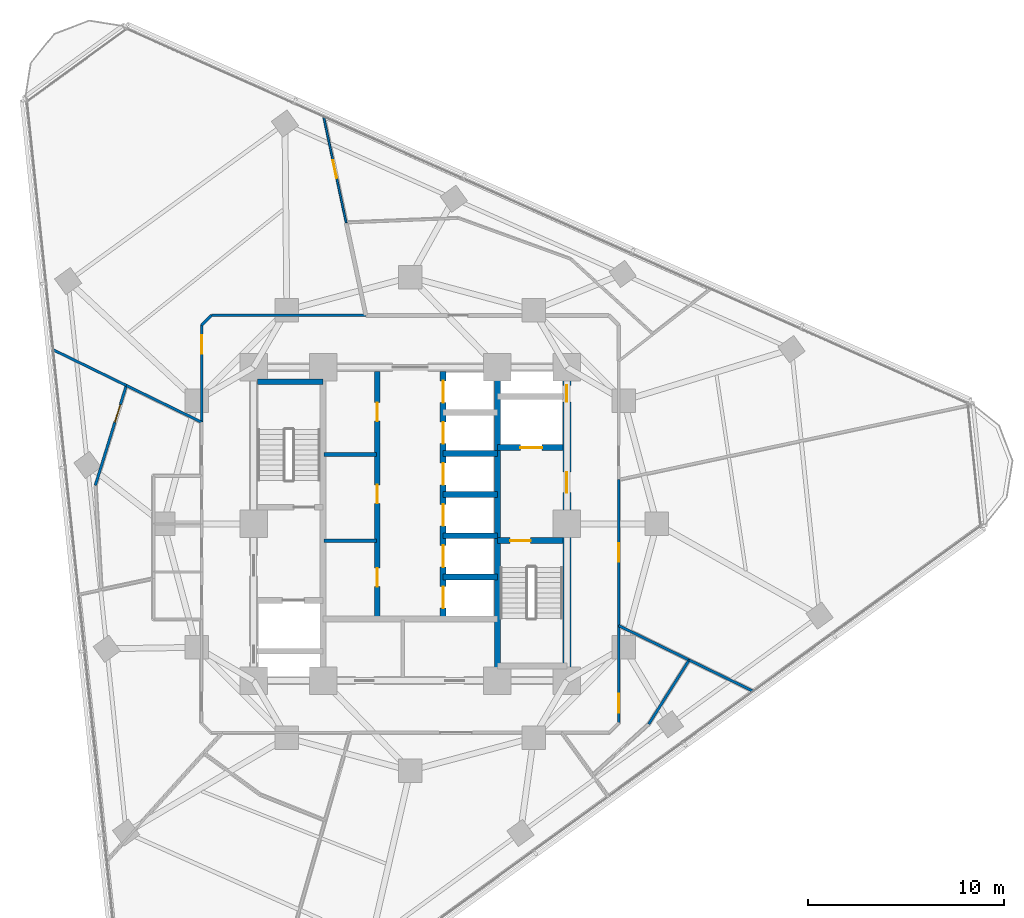
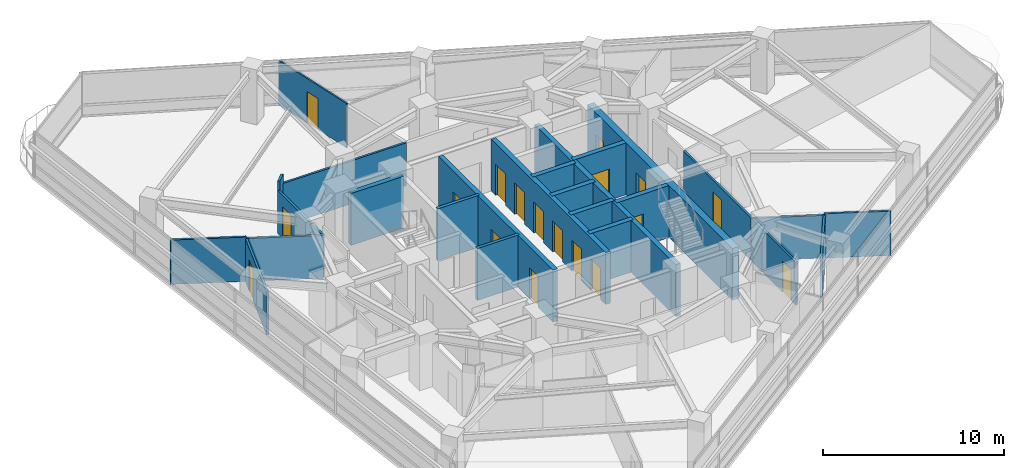
# One storey, part 9 of 14: 25 walls, 18 doors, 18 openings.
"""IFC4 building model written with IfcOpenShell, lengths in metres."""

from ifc_helpers import new_model, si_unit, direction, frame, frame_2d, origin, place, context, subcontext, project, spatial, rectangle, extrude, material, layer, layer_set, type_object, element, fill, save


model = new_model("IFC4")

# Units and contexts
model_context = context("Model", 3, precision=1e-05, world=origin(), true_north=direction((0.0, 1.0)))
body_context = subcontext(model_context, "Body", "Model", "MODEL_VIEW")
ifc_project = project(units=[si_unit("LENGTHUNIT", "METRE"), si_unit("AREAUNIT", "SQUARE_METRE"), si_unit("VOLUMEUNIT", "CUBIC_METRE"), si_unit("PLANEANGLEUNIT", "RADIAN"), si_unit("MASSUNIT", "GRAM", prefix="KILO")], contexts=[model_context])

# Site, building, storey
site_placement = place(None, origin())
site = spatial("IfcSite", under=ifc_project, at=site_placement, CompositionType="ELEMENT")
building_placement = place(site_placement, origin())
building = spatial("IfcBuilding", under=site, at=building_placement, Name="Terralouvre Media Tower", CompositionType="ELEMENT")
storey_placement = place(building_placement, frame((0.0, 0.0, 165.699951171875)))
storey = spatial("IfcBuildingStorey", under=building, at=storey_placement, Name="L42", CompositionType="ELEMENT", Elevation=165.699951171875)

# Walls
ifc_material_1 = material(Name="Concrete C50/60", Category="concrete")
ifc_layer_1 = layer(ifc_material_1, 0.300048828125, Name="Core Internal Shaft Wall CW-300")
ifc_layer_set_1 = layer_set([ifc_layer_1], Name="Concrete C50/60")
wall_type_1 = type_object("IfcWallType", Name="Core Internal Shaft Wall CW-300", PredefinedType="SHEAR", material=ifc_layer_set_1)
wall_1_placement = place(storey_placement, frame((4.449951171875, -7.7900390625, 0.0), z_axis=(0.0, 0.0, 1.0), x_axis=(0.0, 1.0, 0.0)))
element("IfcWall", 1, at=wall_1_placement, inside=storey, type_object=wall_type_1, Name="L42 Core Shaft Wall SPE", PredefinedType="SHEAR", context=body_context, shape_type="SweptSolid", body=[
    extrude(rectangle(XDim=15.580078125, YDim=0.300048828125, at=frame_2d((7.7900390625, 0.0))), origin(), (0.0, 0.0, 1.0), 3.5),
])
wall_2_placement = place(storey_placement, frame((-7.7900390625, 7.260009765625, 0.0), z_axis=(0.0, 0.0, 1.0), x_axis=(1.0, 0.0, 0.0)))
element("IfcWall", 2, at=wall_2_placement, inside=storey, type_object=wall_type_1, Name="L42 Core Shaft Wall ST1F", PredefinedType="SHEAR", context=body_context, shape_type="SweptSolid", body=[
    extrude(rectangle(XDim=3.340087890625, YDim=0.300048828125, at=frame_2d((1.669921875, 0.0))), origin(), (0.0, 0.0, 1.0), 3.5),
])

# Wall, opening, door
wall_3_placement = place(storey_placement, frame((4.449951171875, -0.85009765625, 0.0), z_axis=(0.0, 0.0, 1.0), x_axis=(1.0, 0.0, 0.0)))
wall_3 = element("IfcWall", 3, at=wall_3_placement, inside=storey, type_object=wall_type_1, Name="L42 Core Shaft Wall ST2D", PredefinedType="SHEAR", context=body_context, shape_type="SweptSolid", body=[
    extrude(rectangle(XDim=3.340087890625, YDim=0.300048828125, at=frame_2d((1.669921875, 0.0))), origin(), (0.0, 0.0, 1.0), 3.5),
])
opening_1_placement = place(wall_3_placement, frame((0.64990234375, 0.0, 0.0)))
opening_1 = element("IfcOpeningElement", 4, at=opening_1_placement, cuts=wall_3, Name="Opening FD-01-105X215", PredefinedType="OPENING", context=body_context, shape_type="SweptSolid", body=[
    extrude(rectangle(XDim=1.050048828125, YDim=2.14990234375, at=frame_2d((0.52490234375, 1.074951171875))), frame((0.0, 0.159912109375, 0.0), z_axis=(0.0, -1.0, 0.0), x_axis=(1.0, 0.0, 0.0)), (0.0, 0.0, 1.0), 0.320068359375),
])
ifc_material_2 = material(Name="Galvanised steel fire-resisting leaf", Category="steel")
door_type_1 = type_object("IfcDoorType", Name="Stair and Firefighting Lobby Fire Door FD-01 (1050x2150)", OperationType="NOTDEFINED", PredefinedType="DOOR", material=ifc_material_2)
door_1_placement = place(opening_1_placement, origin())
door_1 = element("IfcDoor", 5, at=door_1_placement, inside=storey, type_object=door_type_1, Name="L42 ST-02 Exit Stair Door", OperationType="SINGLE_SWING_RIGHT", OverallHeight=2.14990234375, OverallWidth=1.050048828125, PredefinedType="DOOR", context=body_context, shape_type="SweptSolid", body=[
    extrude(rectangle(XDim=1.050048828125, YDim=2.14990234375, at=frame_2d((0.52490234375, 1.074951171875))), frame((0.0, 0.02490234375, 0.0), z_axis=(0.0, -1.0, 0.0), x_axis=(1.0, 0.0, 0.0)), (0.0, 0.0, 1.0), 0.050048828125),
])
fill(opening_1, door_1)

wall_4_placement = place(storey_placement, frame((4.449951171875, 3.89990234375, 0.0), z_axis=(0.0, 0.0, 1.0), x_axis=(1.0, 0.0, 0.0)))
wall_4 = element("IfcWall", 6, at=wall_4_placement, inside=storey, type_object=wall_type_1, Name="L42 Core Shaft Wall FF2S", PredefinedType="SHEAR", context=body_context, shape_type="SweptSolid", body=[
    extrude(rectangle(XDim=3.340087890625, YDim=0.300048828125, at=frame_2d((1.669921875, 0.0))), origin(), (0.0, 0.0, 1.0), 3.5),
])
opening_2_placement = place(wall_4_placement, frame((1.179931640625, 0.0, 0.0)))
opening_2 = element("IfcOpeningElement", 7, at=opening_2_placement, cuts=wall_4, Name="Opening LD-FF", PredefinedType="OPENING", context=body_context, shape_type="SweptSolid", body=[
    extrude(rectangle(XDim=1.10009765625, YDim=2.10009765625, at=frame_2d((0.550048828125, 1.050048828125))), frame((0.0, 0.159912109375, 0.0), z_axis=(0.0, -1.0, 0.0), x_axis=(1.0, 0.0, 0.0)), (0.0, 0.0, 1.0), 0.320068359375),
])
ifc_material_3 = material(Name="Stainless steel 316 handrail and balustrade", Category="steel")
door_type_2 = type_object("IfcDoorType", Name="Firefighting Lift Sliding Landing Door LD-FF", OperationType="SLIDING_TO_LEFT", PredefinedType="DOOR", material=ifc_material_3)
door_2_placement = place(opening_2_placement, origin())
door_2 = element("IfcDoor", 8, at=door_2_placement, inside=storey, type_object=door_type_2, Name="L42 Firefighting Lift FFL-02 Landing Door", OperationType="SLIDING_TO_LEFT", OverallHeight=2.10009765625, OverallWidth=1.10009765625, PredefinedType="DOOR", context=body_context, shape_type="SweptSolid", body=[
    extrude(rectangle(XDim=1.10009765625, YDim=2.10009765625, at=frame_2d((0.550048828125, 1.050048828125))), frame((0.0, 0.02490234375, 0.0), z_axis=(0.0, -1.0, 0.0), x_axis=(1.0, 0.0, 0.0)), (0.0, 0.0, 1.0), 0.050048828125),
])
fill(opening_2, door_2)

# Wall, openings, doors
wall_5_placement = place(storey_placement, frame((-1.679931640625, -4.85009765625, 0.0), z_axis=(0.0, 0.0, 1.0), x_axis=(0.0, 1.0, 0.0)))
wall_5 = element("IfcWall", 9, at=wall_5_placement, inside=storey, type_object=wall_type_1, Name="L42 Core Shaft Wall LBW", PredefinedType="SHEAR", context=body_context, shape_type="SweptSolid", body=[
    extrude(rectangle(XDim=12.64013671875, YDim=0.300048828125, at=frame_2d((6.320068359375, 0.0))), origin(), (0.0, 0.0, 1.0), 3.5),
])
opening_3_placement = place(wall_5_placement, frame((1.64990234375, 0.0, 0.0)))
opening_3 = element("IfcOpeningElement", 10, at=opening_3_placement, cuts=wall_5, Name="Opening FD-02-95X210", PredefinedType="OPENING", context=body_context, shape_type="SweptSolid", body=[
    extrude(rectangle(XDim=0.949951171875, YDim=2.10009765625, at=frame_2d((0.47509765625, 1.050048828125))), frame((0.0, 0.159912109375, 0.0), z_axis=(0.0, -1.0, 0.0), x_axis=(1.0, 0.0, 0.0)), (0.0, 0.0, 1.0), 0.320068359375),
])
opening_4_placement = place(wall_5_placement, frame((5.89990234375, 0.0, 0.0)))
opening_4 = element("IfcOpeningElement", 11, at=opening_4_placement, cuts=wall_5, Name="Opening SD-02", PredefinedType="OPENING", context=body_context, shape_type="SweptSolid", body=[
    extrude(rectangle(XDim=0.949951171875, YDim=2.10009765625, at=frame_2d((0.47509765625, 1.050048828125))), frame((0.0, 0.159912109375, 0.0), z_axis=(0.0, -1.0, 0.0), x_axis=(1.0, 0.0, 0.0)), (0.0, 0.0, 1.0), 0.320068359375),
])
opening_5_placement = place(wall_5_placement, frame((10.10009765625, 0.0, 0.0)))
opening_5 = element("IfcOpeningElement", 12, at=opening_5_placement, cuts=wall_5, Name="Opening FD-02-95X210", PredefinedType="OPENING", context=body_context, shape_type="SweptSolid", body=[
    extrude(rectangle(XDim=0.949951171875, YDim=2.10009765625, at=frame_2d((0.47509765625, 1.050048828125))), frame((0.0, 0.159912109375, 0.0), z_axis=(0.0, -1.0, 0.0), x_axis=(1.0, 0.0, 0.0)), (0.0, 0.0, 1.0), 0.320068359375),
])
ifc_material_4 = material(Name="Galvanised steel fire-resisting leaf", Category="steel")
door_type_3 = type_object("IfcDoorType", Name="Core Service Sliding Fire Door SD-02", OperationType="SLIDING_TO_LEFT", PredefinedType="DOOR", material=ifc_material_4)
door_3_placement = place(opening_4_placement, origin())
door_3 = element("IfcDoor", 13, at=door_3_placement, inside=storey, type_object=door_type_3, Name="L42 Core Pantry Store Door", OperationType="SLIDING_TO_LEFT", OverallHeight=2.10009765625, OverallWidth=0.949951171875, PredefinedType="DOOR", context=body_context, shape_type="SweptSolid", body=[
    extrude(rectangle(XDim=0.949951171875, YDim=2.10009765625, at=frame_2d((0.47509765625, 1.050048828125))), frame((0.0, 0.02490234375, 0.0), z_axis=(0.0, -1.0, 0.0), x_axis=(1.0, 0.0, 0.0)), (0.0, 0.0, 1.0), 0.050048828125),
])
fill(opening_4, door_3)
ifc_material_5 = material(Name="Galvanised steel fire-resisting leaf", Category="steel")
door_type_4 = type_object("IfcDoorType", Name="Plant and Riser Fire Door FD-02 (950x2100)", OperationType="NOTDEFINED", PredefinedType="DOOR", material=ifc_material_5)
door_4_placement = place(opening_3_placement, origin())
door_4 = element("IfcDoor", 14, at=door_4_placement, inside=storey, type_object=door_type_4, Name="L42 Core UPS Switch Plant Door", OperationType="SINGLE_SWING_LEFT", OverallHeight=2.10009765625, OverallWidth=0.949951171875, PredefinedType="DOOR", context=body_context, shape_type="SweptSolid", body=[
    extrude(rectangle(XDim=0.949951171875, YDim=2.10009765625, at=frame_2d((0.47509765625, 1.050048828125))), frame((0.0, 0.02490234375, 0.0), z_axis=(0.0, -1.0, 0.0), x_axis=(1.0, 0.0, 0.0)), (0.0, 0.0, 1.0), 0.050048828125),
])
fill(opening_3, door_4)
door_5_placement = place(opening_5_placement, origin())
door_5 = element("IfcDoor", 15, at=door_5_placement, inside=storey, type_object=door_type_4, Name="L42 Core Edge Server Plant Door", OperationType="SINGLE_SWING_RIGHT", OverallHeight=2.10009765625, OverallWidth=0.949951171875, PredefinedType="DOOR", context=body_context, shape_type="SweptSolid", body=[
    extrude(rectangle(XDim=0.949951171875, YDim=2.10009765625, at=frame_2d((0.47509765625, 1.050048828125))), frame((0.0, 0.02490234375, 0.0), z_axis=(0.0, -1.0, 0.0), x_axis=(1.0, 0.0, 0.0)), (0.0, 0.0, 1.0), 0.050048828125),
])
fill(opening_5, door_5)

wall_6_placement = place(storey_placement, frame((1.679931640625, -4.85009765625, 0.0), z_axis=(0.0, 0.0, 1.0), x_axis=(0.0, 1.0, 0.0)))
wall_6 = element("IfcWall", 16, at=wall_6_placement, inside=storey, type_object=wall_type_1, Name="L42 Core Shaft Wall LBE", PredefinedType="SHEAR", context=body_context, shape_type="SweptSolid", body=[
    extrude(rectangle(XDim=12.64013671875, YDim=0.300048828125, at=frame_2d((6.320068359375, 0.0))), origin(), (0.0, 0.0, 1.0), 3.5),
])
opening_6_placement = place(wall_6_placement, frame((0.550048828125, 0.0, 0.0)))
opening_6 = element("IfcOpeningElement", 17, at=opening_6_placement, cuts=wall_6, Name="Opening LD-PL", PredefinedType="OPENING", context=body_context, shape_type="SweptSolid", body=[
    extrude(rectangle(XDim=1.10009765625, YDim=2.10009765625, at=frame_2d((0.550048828125, 1.050048828125))), frame((0.0, 0.159912109375, 0.0), z_axis=(0.0, -1.0, 0.0), x_axis=(1.0, 0.0, 0.0)), (0.0, 0.0, 1.0), 0.320068359375),
])
opening_7_placement = place(wall_6_placement, frame((2.64990234375, 0.0, 0.0)))
opening_7 = element("IfcOpeningElement", 18, at=opening_7_placement, cuts=wall_6, Name="Opening LD-PL", PredefinedType="OPENING", context=body_context, shape_type="SweptSolid", body=[
    extrude(rectangle(XDim=1.10009765625, YDim=2.10009765625, at=frame_2d((0.550048828125, 1.050048828125))), frame((0.0, 0.159912109375, 0.0), z_axis=(0.0, -1.0, 0.0), x_axis=(1.0, 0.0, 0.0)), (0.0, 0.0, 1.0), 0.320068359375),
])
opening_8_placement = place(wall_6_placement, frame((4.75, 0.0, 0.0)))
opening_8 = element("IfcOpeningElement", 19, at=opening_8_placement, cuts=wall_6, Name="Opening LD-PL", PredefinedType="OPENING", context=body_context, shape_type="SweptSolid", body=[
    extrude(rectangle(XDim=1.10009765625, YDim=2.10009765625, at=frame_2d((0.550048828125, 1.050048828125))), frame((0.0, 0.159912109375, 0.0), z_axis=(0.0, -1.0, 0.0), x_axis=(1.0, 0.0, 0.0)), (0.0, 0.0, 1.0), 0.320068359375),
])
opening_9_placement = place(wall_6_placement, frame((6.85009765625, 0.0, 0.0)))
opening_9 = element("IfcOpeningElement", 20, at=opening_9_placement, cuts=wall_6, Name="Opening LD-PL", PredefinedType="OPENING", context=body_context, shape_type="SweptSolid", body=[
    extrude(rectangle(XDim=1.10009765625, YDim=2.10009765625, at=frame_2d((0.550048828125, 1.050048828125))), frame((0.0, 0.159912109375, 0.0), z_axis=(0.0, -1.0, 0.0), x_axis=(1.0, 0.0, 0.0)), (0.0, 0.0, 1.0), 0.320068359375),
])
opening_10_placement = place(wall_6_placement, frame((8.949951171875, 0.0, 0.0)))
opening_10 = element("IfcOpeningElement", 21, at=opening_10_placement, cuts=wall_6, Name="Opening LD-PL", PredefinedType="OPENING", context=body_context, shape_type="SweptSolid", body=[
    extrude(rectangle(XDim=1.10009765625, YDim=2.10009765625, at=frame_2d((0.550048828125, 1.050048828125))), frame((0.0, 0.159912109375, 0.0), z_axis=(0.0, -1.0, 0.0), x_axis=(1.0, 0.0, 0.0)), (0.0, 0.0, 1.0), 0.320068359375),
])
opening_11_placement = place(wall_6_placement, frame((11.050048828125, 0.0, 0.0)))
opening_11 = element("IfcOpeningElement", 22, at=opening_11_placement, cuts=wall_6, Name="Opening LD-PL", PredefinedType="OPENING", context=body_context, shape_type="SweptSolid", body=[
    extrude(rectangle(XDim=1.10009765625, YDim=2.10009765625, at=frame_2d((0.550048828125, 1.050048828125))), frame((0.0, 0.159912109375, 0.0), z_axis=(0.0, -1.0, 0.0), x_axis=(1.0, 0.0, 0.0)), (0.0, 0.0, 1.0), 0.320068359375),
])
ifc_material_6 = material(Name="Stainless steel 316 handrail and balustrade", Category="steel")
door_type_5 = type_object("IfcDoorType", Name="Passenger Lift Sliding Landing Door LD-PL", OperationType="SLIDING_TO_LEFT", PredefinedType="DOOR", material=ifc_material_6)
door_6_placement = place(opening_6_placement, origin())
door_6 = element("IfcDoor", 23, at=door_6_placement, inside=storey, type_object=door_type_5, Name="L42 High-Rise Lift PL-H1 Landing Door", OperationType="SLIDING_TO_LEFT", OverallHeight=2.10009765625, OverallWidth=1.10009765625, PredefinedType="DOOR", context=body_context, shape_type="SweptSolid", body=[
    extrude(rectangle(XDim=1.10009765625, YDim=2.10009765625, at=frame_2d((0.550048828125, 1.050048828125))), frame((0.0, 0.02490234375, 0.0), z_axis=(0.0, -1.0, 0.0), x_axis=(1.0, 0.0, 0.0)), (0.0, 0.0, 1.0), 0.050048828125),
])
fill(opening_6, door_6)
door_7_placement = place(opening_7_placement, origin())
door_7 = element("IfcDoor", 24, at=door_7_placement, inside=storey, type_object=door_type_5, Name="L42 High-Rise Lift PL-H2 Landing Door", OperationType="SLIDING_TO_LEFT", OverallHeight=2.10009765625, OverallWidth=1.10009765625, PredefinedType="DOOR", context=body_context, shape_type="SweptSolid", body=[
    extrude(rectangle(XDim=1.10009765625, YDim=2.10009765625, at=frame_2d((0.550048828125, 1.050048828125))), frame((0.0, 0.02490234375, 0.0), z_axis=(0.0, -1.0, 0.0), x_axis=(1.0, 0.0, 0.0)), (0.0, 0.0, 1.0), 0.050048828125),
])
fill(opening_7, door_7)
door_8_placement = place(opening_8_placement, origin())
door_8 = element("IfcDoor", 25, at=door_8_placement, inside=storey, type_object=door_type_5, Name="L42 High-Rise Lift PL-H3 Landing Door", OperationType="SLIDING_TO_LEFT", OverallHeight=2.10009765625, OverallWidth=1.10009765625, PredefinedType="DOOR", context=body_context, shape_type="SweptSolid", body=[
    extrude(rectangle(XDim=1.10009765625, YDim=2.10009765625, at=frame_2d((0.550048828125, 1.050048828125))), frame((0.0, 0.02490234375, 0.0), z_axis=(0.0, -1.0, 0.0), x_axis=(1.0, 0.0, 0.0)), (0.0, 0.0, 1.0), 0.050048828125),
])
fill(opening_8, door_8)
door_9_placement = place(opening_9_placement, origin())
door_9 = element("IfcDoor", 26, at=door_9_placement, inside=storey, type_object=door_type_5, Name="L42 Mid-Rise Lift PL-M1 Landing Door", OperationType="SLIDING_TO_LEFT", OverallHeight=2.10009765625, OverallWidth=1.10009765625, PredefinedType="DOOR", context=body_context, shape_type="SweptSolid", body=[
    extrude(rectangle(XDim=1.10009765625, YDim=2.10009765625, at=frame_2d((0.550048828125, 1.050048828125))), frame((0.0, 0.02490234375, 0.0), z_axis=(0.0, -1.0, 0.0), x_axis=(1.0, 0.0, 0.0)), (0.0, 0.0, 1.0), 0.050048828125),
])
fill(opening_9, door_9)
door_10_placement = place(opening_10_placement, origin())
door_10 = element("IfcDoor", 27, at=door_10_placement, inside=storey, type_object=door_type_5, Name="L42 Mid-Rise Lift PL-M2 Landing Door", OperationType="SLIDING_TO_LEFT", OverallHeight=2.10009765625, OverallWidth=1.10009765625, PredefinedType="DOOR", context=body_context, shape_type="SweptSolid", body=[
    extrude(rectangle(XDim=1.10009765625, YDim=2.10009765625, at=frame_2d((0.550048828125, 1.050048828125))), frame((0.0, 0.02490234375, 0.0), z_axis=(0.0, -1.0, 0.0), x_axis=(1.0, 0.0, 0.0)), (0.0, 0.0, 1.0), 0.050048828125),
])
fill(opening_10, door_10)
door_11_placement = place(opening_11_placement, origin())
door_11 = element("IfcDoor", 28, at=door_11_placement, inside=storey, type_object=door_type_5, Name="L42 Mid-Rise Lift PL-M3 Landing Door", OperationType="SLIDING_TO_LEFT", OverallHeight=2.10009765625, OverallWidth=1.10009765625, PredefinedType="DOOR", context=body_context, shape_type="SweptSolid", body=[
    extrude(rectangle(XDim=1.10009765625, YDim=2.10009765625, at=frame_2d((0.550048828125, 1.050048828125))), frame((0.0, 0.02490234375, 0.0), z_axis=(0.0, -1.0, 0.0), x_axis=(1.0, 0.0, 0.0)), (0.0, 0.0, 1.0), 0.050048828125),
])
fill(opening_11, door_11)

# Walls
for number, where, z_axis, x_axis, name in (
    (29, (1.679931640625, 1.5, 0.0), (0.0, 0.0, 1.0), (1.0, 0.0, 0.0), "L42 Core Shaft Wall PLMD0"),
    (30, (1.679931640625, 3.60009765625, 0.0), (0.0, 0.0, 1.0), (1.0, 0.0, 0.0), "L42 Core Shaft Wall PLMD1"),
    (31, (1.679931640625, -2.699951171875, 0.0), (0.0, 0.0, 1.0), (1.0, 0.0, 0.0), "L42 Core Shaft Wall PLHD1"),
    (32, (1.679931640625, -0.60009765625, 0.0), (0.0, 0.0, 1.0), (1.0, 0.0, 0.0), "L42 Core Shaft Wall PLHD2"),
):
    element("IfcWall", number, at=place(storey_placement, frame(where, z_axis=z_axis, x_axis=x_axis)), inside=storey, type_object=wall_type_1, Name=name, PredefinedType="SHEAR", context=body_context, shape_type="SweptSolid", body=[
        extrude(rectangle(XDim=2.77001953125, YDim=0.300048828125, at=frame_2d((1.385009765625, 0.0))), origin(), (0.0, 0.0, 1.0), 3.5),
    ])

# Wall, openings, doors
ifc_material_7 = material(Name="Concrete C60/75", Category="concrete")
ifc_layer_2 = layer(ifc_material_7, 0.419921875, Name="Core Reinforced Concrete Shear Wall CW-420")
ifc_layer_set_2 = layer_set([ifc_layer_2], Name="Concrete C60/75")
wall_type_2 = type_object("IfcWallType", Name="Core Reinforced Concrete Shear Wall CW-420", PredefinedType="SHEAR", material=ifc_layer_set_2)
wall_7_placement = place(storey_placement, frame((8.0, -8.0, 0.0), z_axis=(0.0, 0.0, 1.0), x_axis=(0.0, 1.0, 0.0)))
wall_7 = element("IfcWall", 33, at=wall_7_placement, inside=storey, type_object=wall_type_2, Name="L42 E Core Shear Wall", PredefinedType="SHEAR", context=body_context, shape_type="SweptSolid", body=[
    extrude(rectangle(XDim=16.0, YDim=0.419921875, at=frame_2d((8.0, 0.0))), origin(), (0.0, 0.0, 1.0), 3.5),
])
opening_12_placement = place(wall_7_placement, frame((9.60009765625, 0.0, 0.0)))
opening_12 = element("IfcOpeningElement", 34, at=opening_12_placement, cuts=wall_7, Name="Opening FD-01-105X215", PredefinedType="OPENING", context=body_context, shape_type="SweptSolid", body=[
    extrude(rectangle(XDim=1.050048828125, YDim=2.14990234375, at=frame_2d((0.52490234375, 1.074951171875))), frame((0.0, 0.219970703125, 0.0), z_axis=(0.0, -1.0, 0.0), x_axis=(1.0, 0.0, 0.0)), (0.0, 0.0, 1.0), 0.43994140625),
])
opening_13_placement = place(wall_7_placement, frame((14.228515625, 0.0, 0.0)))
opening_13 = element("IfcOpeningElement", 35, at=opening_13_placement, cuts=wall_7, Name="Opening TD-R1", PredefinedType="OPENING", context=body_context, shape_type="SweptSolid", body=[
    extrude(rectangle(XDim=0.85009765625, YDim=2.02001953125, at=frame_2d((0.425048828125, 1.010009765625))), frame((0.0, 0.219970703125, 0.0), z_axis=(0.0, -1.0, 0.0), x_axis=(1.0, 0.0, 0.0)), (0.0, 0.0, 1.0), 0.43994140625),
])
ifc_material_8 = material(Name="Galvanised steel fire-resisting leaf", Category="steel")
door_type_6 = type_object("IfcDoorType", Name="Riser Inspection Access Trapdoor TD-R1", OperationType="NOTDEFINED", PredefinedType="TRAPDOOR", material=ifc_material_8)
door_12_placement = place(opening_13_placement, origin())
door_12 = element("IfcDoor", 36, at=door_12_placement, inside=storey, type_object=door_type_6, Name="L42 East Comms Riser Access Trapdoor", OperationType="SINGLE_SWING_RIGHT", OverallHeight=2.02001953125, OverallWidth=0.85009765625, PredefinedType="TRAPDOOR", context=body_context, shape_type="SweptSolid", body=[
    extrude(rectangle(XDim=0.85009765625, YDim=2.02001953125, at=frame_2d((0.425048828125, 1.010009765625))), frame((0.0, 0.02490234375, 0.0), z_axis=(0.0, -1.0, 0.0), x_axis=(1.0, 0.0, 0.0)), (0.0, 0.0, 1.0), 0.050048828125),
])
fill(opening_13, door_12)
door_13_placement = place(opening_12_placement, origin())
door_13 = element("IfcDoor", 37, at=door_13_placement, inside=storey, type_object=door_type_1, Name="L42 East Firefighting Lobby Entry Door", OperationType="SINGLE_SWING_LEFT", OverallHeight=2.14990234375, OverallWidth=1.050048828125, PredefinedType="DOOR", context=body_context, shape_type="SweptSolid", body=[
    extrude(rectangle(XDim=1.050048828125, YDim=2.14990234375, at=frame_2d((0.52490234375, 1.074951171875))), frame((0.0, 0.02490234375, 0.0), z_axis=(0.0, -1.0, 0.0), x_axis=(1.0, 0.0, 0.0)), (0.0, 0.0, 1.0), 0.050048828125),
])
fill(opening_12, door_13)

# Wall, opening, door
ifc_material_9 = material(Name="Low-iron laminated double glazing with solar-control coating", Category="glass")
ifc_layer_3 = layer(ifc_material_9, 0.10009765625, Name="Demountable Glazed Office Partition PT-GL100")
ifc_layer_set_3 = layer_set([ifc_layer_3], Name="Low-iron laminated double glazing with solar-control coating")
wall_type_3 = type_object("IfcWallType", Name="Demountable Glazed Office Partition PT-GL100", PredefinedType="MOVABLE", material=ifc_layer_set_3)
wall_8_placement = place(storey_placement, frame((-4.432373046875, 20.850830078125, 0.0), z_axis=(0.0, 0.0, 1.0), x_axis=(0.208032106743, -0.978121997792, 0.0)))
wall_8 = element("IfcWall", 38, at=wall_8_placement, inside=storey, type_object=wall_type_3, Name="L42 Interior Partition 047", PredefinedType="MOVABLE", context=body_context, shape_type="SweptSolid", body=[
    extrude(rectangle(XDim=5.592041015625, YDim=0.10009765625, at=frame_2d((2.7958984375, 0.0))), origin(), (0.0, 0.0, 1.0), 2.985107421875),
])
opening_14_placement = place(wall_8_placement, frame((2.336181640625, 0.0, 0.0)))
opening_14 = element("IfcOpeningElement", 39, at=opening_14_placement, cuts=wall_8, Name="Opening ID-03-92X210", PredefinedType="OPENING", context=body_context, shape_type="SweptSolid", body=[
    extrude(rectangle(XDim=0.919921875, YDim=2.10009765625, at=frame_2d((0.4599609375, 1.050048828125))), frame((0.0, 0.06005859375, 0.0), z_axis=(0.0, -1.0, 0.0), x_axis=(1.0, 0.0, 0.0)), (0.0, 0.0, 1.0), 0.1201171875),
])
ifc_material_10 = material(Name="Engineered hardwood acoustic timber leaf", Category="wood")
door_type_7 = type_object("IfcDoorType", Name="Accessible Restroom and Suite Door ID-03 (920x2100)", OperationType="NOTDEFINED", PredefinedType="DOOR", material=ifc_material_10)
door_14_placement = place(opening_14_placement, origin())
door_14 = element("IfcDoor", 40, at=door_14_placement, inside=storey, type_object=door_type_7, Name="L42 Student Project Breakout Room 9 Door", OperationType="SINGLE_SWING_RIGHT", OverallHeight=2.10009765625, OverallWidth=0.919921875, PredefinedType="DOOR", context=body_context, shape_type="SweptSolid", body=[
    extrude(rectangle(XDim=0.919921875, YDim=2.10009765625, at=frame_2d((0.4599609375, 1.050048828125))), frame((0.0, 0.02490234375, 0.0), z_axis=(0.0, -1.0, 0.0), x_axis=(1.0, 0.0, 0.0)), (0.0, 0.0, 1.0), 0.050048828125),
])
fill(opening_14, door_14)

# Walls
ifc_material_11 = material(Name="Fire-rated gypsum board drywall partition")
ifc_layer_4 = layer(ifc_material_11, 0.199951171875, Name="Fire-Rated Shaft and Lobby Partition FW-200")
ifc_layer_set_4 = layer_set([ifc_layer_4], Name="Fire-rated gypsum board drywall partition")
wall_type_4 = type_object("IfcWallType", Name="Fire-Rated Shaft and Lobby Partition FW-200", PredefinedType="SOLIDWALL", material=ifc_layer_set_4)
for number, where, z_axis, x_axis, name in (
    (41, (-4.39990234375, -0.860107421875, 0.0), (0.0, 0.0, 1.0), (1.0, 0.0, 0.0), "L42 Core West Sub-Partition 1"),
    (42, (-4.39990234375, 3.5400390625, 0.0), (0.0, 0.0, 1.0), (1.0, 0.0, 0.0), "L42 Core West Sub-Partition 2"),
):
    element("IfcWall", number, at=place(storey_placement, frame(where, z_axis=z_axis, x_axis=x_axis)), inside=storey, type_object=wall_type_4, Name=name, PredefinedType="SOLIDWALL", context=body_context, shape_type="SweptSolid", body=[
        extrude(rectangle(XDim=2.679931640625, YDim=0.199951171875, at=frame_2d((1.33984375, 0.0))), origin(), (0.0, 0.0, 1.0), 3.5),
    ])

# Wall, opening, door
ifc_material_12 = material(Name="Fire-rated gypsum board drywall partition")
ifc_layer_5 = layer(ifc_material_12, 0.135009765625, Name="Newsroom Acoustic Partition PT-135")
ifc_layer_set_5 = layer_set([ifc_layer_5], Name="Fire-rated gypsum board drywall partition")
wall_type_5 = type_object("IfcWallType", Name="Newsroom Acoustic Partition PT-135", PredefinedType="PARTITIONING", material=ifc_layer_set_5)
wall_9_placement = place(storey_placement, frame((10.64990234375, -10.14990234375, 0.0), z_axis=(0.0, 0.0, 1.0), x_axis=(0.0, 1.0, 0.0)))
wall_9 = element("IfcWall", 43, at=wall_9_placement, inside=storey, type_object=wall_type_5, Name="L42 Interior Partition 010", PredefinedType="PARTITIONING", context=body_context, shape_type="SweptSolid", body=[
    extrude(rectangle(XDim=4.955810546875, YDim=0.135009765625, at=frame_2d((2.47802734375, 0.0))), origin(), (0.0, 0.0, 1.0), 2.885009765625),
])
opening_15_placement = place(wall_9_placement, frame((0.51611328125, 0.0, 0.0)))
opening_15 = element("IfcOpeningElement", 44, at=opening_15_placement, cuts=wall_9, Name="Opening ID-02-95X210", PredefinedType="OPENING", context=body_context, shape_type="SweptSolid", body=[
    extrude(rectangle(XDim=0.949951171875, YDim=2.10009765625, at=frame_2d((0.47509765625, 1.050048828125))), frame((0.0, 0.077392578125, 0.0), z_axis=(0.0, -1.0, 0.0), x_axis=(1.0, 0.0, 0.0)), (0.0, 0.0, 1.0), 0.155029296875),
])
ifc_material_13 = material(Name="Engineered hardwood acoustic timber leaf", Category="wood")
door_type_8 = type_object("IfcDoorType", Name="Office and Meeting Room Door ID-02 (950x2100)", OperationType="NOTDEFINED", PredefinedType="DOOR", material=ifc_material_13)
door_15_placement = place(opening_15_placement, origin())
door_15 = element("IfcDoor", 45, at=door_15_placement, inside=storey, type_object=door_type_8, Name="L42 Media Reference Library 5 Door", OperationType="SINGLE_SWING_RIGHT", OverallHeight=2.10009765625, OverallWidth=0.949951171875, PredefinedType="DOOR", context=body_context, shape_type="SweptSolid", body=[
    extrude(rectangle(XDim=0.949951171875, YDim=2.10009765625, at=frame_2d((0.47509765625, 1.050048828125))), frame((0.0, 0.02490234375, 0.0), z_axis=(0.0, -1.0, 0.0), x_axis=(1.0, 0.0, 0.0)), (0.0, 0.0, 1.0), 0.050048828125),
])
fill(opening_15, door_15)

wall_10_placement = place(storey_placement, frame((10.64990234375, -5.194091796875, 0.0), z_axis=(0.0, 0.0, 1.0), x_axis=(0.0, 1.0, 0.0)))
wall_10 = element("IfcWall", 46, at=wall_10_placement, inside=storey, type_object=wall_type_5, Name="L42 Interior Partition 011", PredefinedType="PARTITIONING", context=body_context, shape_type="SweptSolid", body=[
    extrude(rectangle(XDim=7.4580078125, YDim=0.135009765625, at=frame_2d((3.72900390625, 0.0))), origin(), (0.0, 0.0, 1.0), 2.885009765625),
])
opening_16_placement = place(wall_10_placement, frame((3.25390625, 0.0, 0.0)))
opening_16 = element("IfcOpeningElement", 47, at=opening_16_placement, cuts=wall_10, Name="Opening ID-02-95X210", PredefinedType="OPENING", context=body_context, shape_type="SweptSolid", body=[
    extrude(rectangle(XDim=0.949951171875, YDim=2.10009765625, at=frame_2d((0.47509765625, 1.050048828125))), frame((0.0, 0.077392578125, 0.0), z_axis=(0.0, -1.0, 0.0), x_axis=(1.0, 0.0, 0.0)), (0.0, 0.0, 1.0), 0.155029296875),
])
door_16_placement = place(opening_16_placement, origin())
door_16 = element("IfcDoor", 48, at=door_16_placement, inside=storey, type_object=door_type_8, Name="L42 Faculty Consultation Office 7 Door", OperationType="SINGLE_SWING_LEFT", OverallHeight=2.10009765625, OverallWidth=0.949951171875, PredefinedType="DOOR", context=body_context, shape_type="SweptSolid", body=[
    extrude(rectangle(XDim=0.949951171875, YDim=2.10009765625, at=frame_2d((0.47509765625, 1.050048828125))), frame((0.0, 0.02490234375, 0.0), z_axis=(0.0, -1.0, 0.0), x_axis=(1.0, 0.0, 0.0)), (0.0, 0.0, 1.0), 0.050048828125),
])
fill(opening_16, door_16)

# Walls
wall_11_placement = place(storey_placement, frame((-2.263916015625, 10.64990234375, 0.0), z_axis=(0.0, 0.0, 1.0), x_axis=(-1.0, 0.0, 0.0)))
element("IfcWall", 49, at=wall_11_placement, inside=storey, type_object=wall_type_5, Name="L42 Interior Partition 016", PredefinedType="PARTITIONING", context=body_context, shape_type="SweptSolid", body=[
    extrude(rectangle(XDim=7.885986328125, YDim=0.135009765625, at=frame_2d((3.94287109375, 0.0))), origin(), (0.0, 0.0, 1.0), 2.885009765625),
])
wall_12_placement = place(storey_placement, frame((-10.14990234375, 10.64990234375, 0.0), z_axis=(0.0, 0.0, 1.0), x_axis=(-0.707106781187, -0.707106781187, 0.0)))
element("IfcWall", 50, at=wall_12_placement, inside=storey, type_object=wall_type_5, Name="L42 Interior Partition 017", PredefinedType="PARTITIONING", context=body_context, shape_type="SweptSolid", body=[
    extrude(rectangle(XDim=0.70703125, YDim=0.135009765625, at=frame_2d((0.353515625, 0.0))), origin(), (0.0, 0.0, 1.0), 3.5),
])

# Wall, opening, door
wall_13_placement = place(storey_placement, frame((-10.64990234375, 10.14990234375, 0.0), z_axis=(0.0, 0.0, 1.0), x_axis=(0.0, -1.0, 0.0)))
wall_13 = element("IfcWall", 51, at=wall_13_placement, inside=storey, type_object=wall_type_5, Name="L42 Interior Partition 018", PredefinedType="PARTITIONING", context=body_context, shape_type="SweptSolid", body=[
    extrude(rectangle(XDim=4.955810546875, YDim=0.135009765625, at=frame_2d((2.47802734375, 0.0))), origin(), (0.0, 0.0, 1.0), 2.885009765625),
])
opening_17_placement = place(wall_13_placement, frame((0.51611328125, 0.0, 0.0)))
opening_17 = element("IfcOpeningElement", 52, at=opening_17_placement, cuts=wall_13, Name="Opening ID-02-95X210", PredefinedType="OPENING", context=body_context, shape_type="SweptSolid", body=[
    extrude(rectangle(XDim=0.949951171875, YDim=2.10009765625, at=frame_2d((0.47509765625, 1.050048828125))), frame((0.0, 0.077392578125, 0.0), z_axis=(0.0, -1.0, 0.0), x_axis=(1.0, 0.0, 0.0)), (0.0, 0.0, 1.0), 0.155029296875),
])
door_17_placement = place(opening_17_placement, origin())
door_17 = element("IfcDoor", 53, at=door_17_placement, inside=storey, type_object=door_type_8, Name="L42 Curriculum Archive Storage 11 Door", OperationType="SINGLE_SWING_RIGHT", OverallHeight=2.10009765625, OverallWidth=0.949951171875, PredefinedType="DOOR", context=body_context, shape_type="SweptSolid", body=[
    extrude(rectangle(XDim=0.949951171875, YDim=2.10009765625, at=frame_2d((0.47509765625, 1.050048828125))), frame((0.0, 0.02490234375, 0.0), z_axis=(0.0, -1.0, 0.0), x_axis=(1.0, 0.0, 0.0)), (0.0, 0.0, 1.0), 0.050048828125),
])
fill(opening_17, door_17)

# Walls
wall_14_placement = place(storey_placement, frame((12.179931640625, -10.219970703125, 0.0), z_axis=(0.0, 0.0, 1.0), x_axis=(0.533748447558, 0.845643302302, 0.0)))
element("IfcWall", 54, at=wall_14_placement, inside=storey, type_object=wall_type_5, Name="L42 Interior Partition 038", PredefinedType="PARTITIONING", context=body_context, shape_type="SweptSolid", body=[
    extrude(rectangle(XDim=3.869140625, YDim=0.135009765625, at=frame_2d((1.9345703125, 0.0))), origin(), (0.0, 0.0, 1.0), 2.885009765625),
])
wall_15_placement = place(storey_placement, frame((14.2451171875, -6.947998046875, 0.0), z_axis=(0.0, 0.0, 1.0), x_axis=(-0.898754367686, 0.43845249066, 0.0)))
element("IfcWall", 55, at=wall_15_placement, inside=storey, type_object=wall_type_5, Name="L42 Interior Partition 039", PredefinedType="PARTITIONING", context=body_context, shape_type="SweptSolid", body=[
    extrude(rectangle(XDim=4.000244140625, YDim=0.135009765625, at=frame_2d((2.0, 0.0))), origin(), (0.0, 0.0, 1.0), 2.885009765625),
])
wall_16_placement = place(storey_placement, frame((17.55517578125, -8.56201171875, 0.0), z_axis=(0.0, 0.0, 1.0), x_axis=(-0.898837884032, 0.438281254708, 0.0)))
element("IfcWall", 56, at=wall_16_placement, inside=storey, type_object=wall_type_5, Name="L42 Interior Partition 040", PredefinedType="PARTITIONING", context=body_context, shape_type="SweptSolid", body=[
    extrude(rectangle(XDim=3.6826171875, YDim=0.135009765625, at=frame_2d((1.84130859375, 0.0))), origin(), (0.0, 0.0, 1.0), 2.985107421875),
])
wall_17_placement = place(storey_placement, frame((-18.27734375, 8.914794921875, 0.0), z_axis=(0.0, 0.0, 1.0), x_axis=(0.898795221882, -0.43836873648, 0.0)))
element("IfcWall", 57, at=wall_17_placement, inside=storey, type_object=wall_type_5, Name="L42 Interior Partition 049", PredefinedType="PARTITIONING", context=body_context, shape_type="SweptSolid", body=[
    extrude(rectangle(XDim=4.2060546875, YDim=0.135009765625, at=frame_2d((2.10302734375, 0.0))), origin(), (0.0, 0.0, 1.0), 2.985107421875),
])
wall_18_placement = place(storey_placement, frame((-14.4970703125, 7.071044921875, 0.0), z_axis=(0.0, 0.0, 1.0), x_axis=(0.89874213328, -0.438477568261, 0.0)))
element("IfcWall", 58, at=wall_18_placement, inside=storey, type_object=wall_type_5, Name="L42 Interior Partition 050", PredefinedType="PARTITIONING", context=body_context, shape_type="SweptSolid", body=[
    extrude(rectangle(XDim=4.280517578125, YDim=0.135009765625, at=frame_2d((2.14013671875, 0.0))), origin(), (0.0, 0.0, 1.0), 2.885009765625),
])

# Wall, opening, door
wall_19_placement = place(storey_placement, frame((-16.0791015625, 1.97412109375, 0.0), z_axis=(0.0, 0.0, 1.0), x_axis=(0.296438064518, 0.955052079158, 0.0)))
wall_19 = element("IfcWall", 59, at=wall_19_placement, inside=storey, type_object=wall_type_5, Name="L42 Interior Partition 052", PredefinedType="PARTITIONING", context=body_context, shape_type="SweptSolid", body=[
    extrude(rectangle(XDim=5.3369140625, YDim=0.135009765625, at=frame_2d((2.66845703125, 0.0))), origin(), (0.0, 0.0, 1.0), 2.885009765625),
])
opening_18_placement = place(wall_19_placement, frame((3.382568359375, 0.0, 0.0)))
opening_18 = element("IfcOpeningElement", 60, at=opening_18_placement, cuts=wall_19, Name="Opening ID-03-92X210", PredefinedType="OPENING", context=body_context, shape_type="SweptSolid", body=[
    extrude(rectangle(XDim=0.919921875, YDim=2.10009765625, at=frame_2d((0.4599609375, 1.050048828125))), frame((0.0, 0.077392578125, 0.0), z_axis=(0.0, -1.0, 0.0), x_axis=(1.0, 0.0, 0.0)), (0.0, 0.0, 1.0), 0.155029296875),
])
door_18_placement = place(opening_18_placement, origin())
door_18 = element("IfcDoor", 61, at=door_18_placement, inside=storey, type_object=door_type_7, Name="L42 Visiting Fellows Study 12 Door", OperationType="SINGLE_SWING_LEFT", OverallHeight=2.10009765625, OverallWidth=0.919921875, PredefinedType="DOOR", context=body_context, shape_type="SweptSolid", body=[
    extrude(rectangle(XDim=0.919921875, YDim=2.10009765625, at=frame_2d((0.4599609375, 1.050048828125))), frame((0.0, 0.02490234375, 0.0), z_axis=(0.0, -1.0, 0.0), x_axis=(1.0, 0.0, 0.0)), (0.0, 0.0, 1.0), 0.050048828125),
])
fill(opening_18, door_18)

save(model, "model.ifc")
